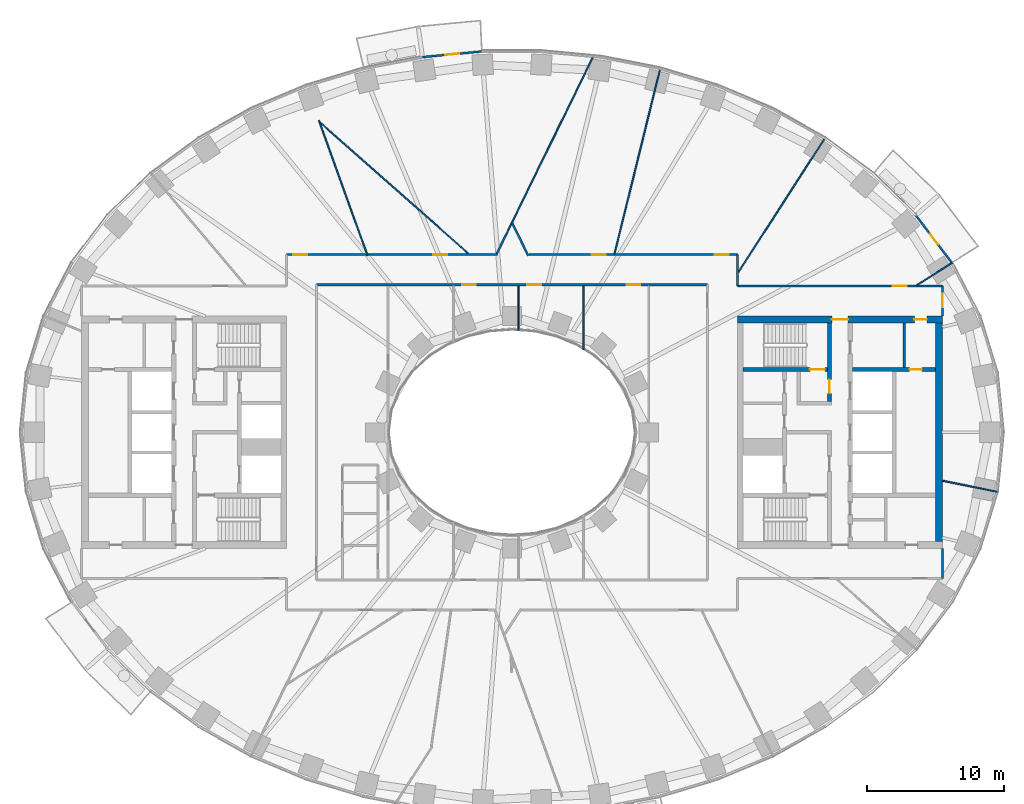
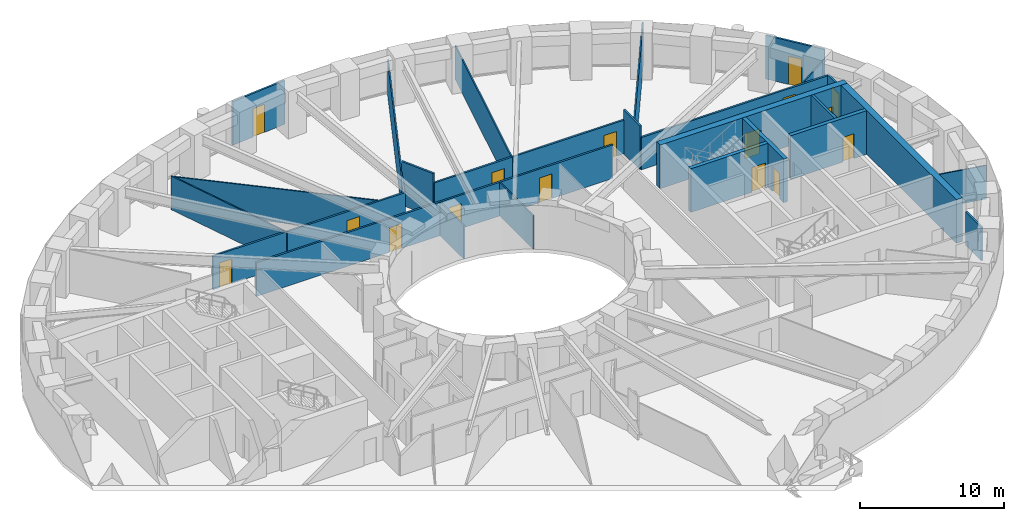
# One storey, part 6 of 16: 28 walls, 16 doors, 16 openings.
"""IFC4 building model written with IfcOpenShell, lengths in metres."""

import ifcopenshell
import ifcopenshell.guid

model = None  # the IFC model being written
_history = None  # IfcOwnerHistory: only IFC2X3 demands one
_inside = {}  # id of a spatial element -> (the spatial element, [elements in it])
_under = {}  # id of a project, library or spatial element -> (it, [spatial elements below it])
_declared = {}  # id of a project -> (the project, [libraries it declares])
_typed = {}  # id of a type object -> (the type object, [elements of that type])
_made_of = {}  # id of a material, layer set ... -> (it, [elements and type objects made of it])


def new_model(schema):
    """Start an empty IFC model of exactly this schema.

    Asked for "IFC4X3", IfcOpenShell would pick the latest addendum, in which some entities
    have other attributes; the version numbers below select the first issue.
    IFC2X3 requires an IfcOwnerHistory on every rooted entity: one is made here for all.
    """
    global model, _history
    if schema == "IFC4X3":
        model = ifcopenshell.file(schema_version=(4, 3, 0, 0))
    else:
        model = ifcopenshell.file(schema=schema)
    _inside.clear()
    _under.clear()
    _declared.clear()
    _typed.clear()
    _made_of.clear()
    _history = None
    if model.schema == "IFC2X3":
        org = make("IfcOrganization", Name="unknown")
        user = make(
            "IfcPersonAndOrganization",
            ThePerson=make("IfcPerson", FamilyName="unknown"),
            TheOrganization=org,
        )
        app = make(
            "IfcApplication",
            ApplicationDeveloper=org,
            Version="unknown",
            ApplicationFullName="unknown",
            ApplicationIdentifier="unknown",
        )
        _history = make(
            "IfcOwnerHistory",
            OwningUser=user,
            OwningApplication=app,
            ChangeAction="ADDED",
            CreationDate=0,
        )
    return model


def make(cls, **values):
    """One entity of the class cls with the attributes given. An attribute that is None is left unset."""
    return model.create_entity(
        cls, **{name: value for name, value in values.items() if value is not None}
    )


def rooted(cls, **values):
    """An entity with a GlobalId (a new one), such as an element, a storey or a relation."""
    return make(cls, GlobalId=ifcopenshell.guid.new(), OwnerHistory=_history, **values)


def si_unit(unit_type, name, prefix=None):
    """IfcSIUnit, for example si_unit("LENGTHUNIT", "METRE", prefix="MILLI")."""
    return make("IfcSIUnit", UnitType=unit_type, Prefix=prefix, Name=name)


def assignment(units):
    """IfcUnitAssignment: the units of a project."""
    return None if units is None else make("IfcUnitAssignment", Units=units)


def point(xyz):
    """IfcCartesianPoint."""
    return None if xyz is None else make("IfcCartesianPoint", Coordinates=xyz)


def direction(xyz):
    """IfcDirection."""
    return None if xyz is None else make("IfcDirection", DirectionRatios=xyz)


def frame(location, z_axis=None, x_axis=None):
    """IfcAxis2Placement3D, a coordinate frame: its origin and axes. An axis left out is left unset."""
    return make(
        "IfcAxis2Placement3D",
        Location=point(location),
        Axis=direction(z_axis),
        RefDirection=direction(x_axis),
    )


def frame_2d(location, x_axis=None):
    """IfcAxis2Placement2D, a coordinate frame in the plane: its origin and x axis."""
    return make(
        "IfcAxis2Placement2D", Location=point(location), RefDirection=direction(x_axis)
    )


def origin():
    """The frame at (0, 0, 0) with its axes left unset."""
    return frame((0.0, 0.0, 0.0))


def place(relative_to, where):
    """IfcLocalPlacement: puts the frame where relative to a parent placement (None: the world)."""
    return make(
        "IfcLocalPlacement", PlacementRelTo=relative_to, RelativePlacement=where
    )


def context(
    kind, dimensions, precision=None, world=None, true_north=None, identifier=None
):
    """IfcGeometricRepresentationContext, for example the 3D "Model" context."""
    return make(
        "IfcGeometricRepresentationContext",
        ContextIdentifier=identifier,
        ContextType=kind,
        CoordinateSpaceDimension=dimensions,
        Precision=precision,
        WorldCoordinateSystem=world,
        TrueNorth=true_north,
    )


def subcontext(parent, identifier, kind, view, scale=None):
    """IfcGeometricRepresentationSubContext, for example "Body" below "Model"."""
    return make(
        "IfcGeometricRepresentationSubContext",
        ContextIdentifier=identifier,
        ContextType=kind,
        ParentContext=parent,
        TargetScale=scale,
        TargetView=view,
    )


def project(units=None, contexts=None):
    """IfcProject with its units and contexts."""
    return rooted(
        "IfcProject",
        Name="project",
        RepresentationContexts=contexts,
        UnitsInContext=assignment(units),
    )


def spatial(cls, under=None, at=None, **own):
    """A site, building, storey or space (cls), placed at a placement, below another one or the project."""
    s = rooted(cls, ObjectPlacement=at, **own)
    if under is not None:
        _under.setdefault(under.id(), (under, []))[1].append(s)
    return s


def profile(cls, at=None, kind="AREA", **sizes):
    """A parametric profile (cls). Its sizes go by their IFC names, for example OverallWidth=200.0."""
    return make(cls, ProfileType=kind, Position=at, **sizes)


def rectangle(**sizes):
    """IfcRectangleProfileDef."""
    return profile("IfcRectangleProfileDef", **sizes)


def extrude(swept, where, along, depth):
    """IfcExtrudedAreaSolid: the profile swept, set in the frame where, extruded along a direction by depth."""
    return make(
        "IfcExtrudedAreaSolid",
        SweptArea=swept,
        Position=where,
        ExtrudedDirection=direction(along),
        Depth=depth,
    )


def shape(context_of_items, identifier, shape_type, items):
    """IfcShapeRepresentation: the items that make up one representation, for example the "Body"."""
    return make(
        "IfcShapeRepresentation",
        ContextOfItems=context_of_items,
        RepresentationIdentifier=identifier,
        RepresentationType=shape_type,
        Items=items,
    )


def material(Name=None, Category=None):
    """IfcMaterial."""
    return make("IfcMaterial", Name=Name, Category=Category)


def layer(
    of_material, thickness, ventilated=None, Name=None, Category=None, Priority=None
):
    """IfcMaterialLayer: one layer of a wall or slab, of a material (None: an air gap)."""
    return make(
        "IfcMaterialLayer",
        Material=of_material,
        LayerThickness=thickness,
        IsVentilated=ventilated,
        Name=Name,
        Category=Category,
        Priority=Priority,
    )


def layer_set(layers, Name=None):
    """IfcMaterialLayerSet."""
    return make("IfcMaterialLayerSet", MaterialLayers=layers, LayerSetName=Name)


def made_of(thing, what):
    """Note that an element or type object is made of a material, layer set ...; save() writes the relation."""
    if what is not None:
        _made_of.setdefault(what.id(), (what, []))[1].append(thing)
    return thing


def type_object(cls, material=None, **own):
    """A type object (cls), such as IfcWallType, which elements share."""
    return made_of(rooted(cls, **own), material)


def element(
    cls,
    number,
    at=None,
    inside=None,
    cuts=None,
    type_object=None,
    material=None,
    context=None,
    identifier="Body",
    shape_type=None,
    held_by="IfcProductDefinitionShape",
    body=None,
    shapes=None,
    **own,
):
    """One element of the class cls, such as IfcWall. Its Tag is "e" and its number.

    at: its placement. inside: the storey or other place that contains it. cuts: it is an
    opening in that element (IfcRelVoidsElement). A single representation is given by context,
    identifier, shape_type and body (its items); several are given by shapes. held_by: the class
    of the entity that holds the representations. save() writes the other relations.
    """
    e = rooted(cls, Tag="e%d" % number, ObjectPlacement=at, **own)
    if body is not None:
        shapes = [shape(context, identifier, shape_type, body)]
    if shapes is not None:
        e.Representation = make(held_by, Representations=shapes)
    if inside is not None:
        _inside.setdefault(inside.id(), (inside, []))[1].append(e)
    if cuts is not None:
        rooted(
            "IfcRelVoidsElement", RelatingBuildingElement=cuts, RelatedOpeningElement=e
        )
    if type_object is not None:
        _typed.setdefault(type_object.id(), (type_object, []))[1].append(e)
    return made_of(e, material)


def fill(opening, filler):
    """IfcRelFillsElement: the door or window that sits in an opening."""
    return rooted(
        "IfcRelFillsElement",
        RelatingOpeningElement=opening,
        RelatedBuildingElement=filler,
    )


def aggregate(whole, parts):
    """IfcRelAggregates: a whole, such as a stair, and the parts it consists of."""
    return rooted("IfcRelAggregates", RelatingObject=whole, RelatedObjects=parts)


def save(model, path):
    """Write the relations noted so far, then the file.

    IfcRelAggregates (storeys below a building ...), IfcRelContainedInSpatialStructure (elements
    in a storey), IfcRelDefinesByType, IfcRelAssociatesMaterial and IfcRelDeclares: one each for
    every whole, place, type object, material and project.
    """
    for whole, parts in _under.values():
        aggregate(whole, parts)
    for where, things in _inside.values():
        rooted(
            "IfcRelContainedInSpatialStructure",
            RelatedElements=things,
            RelatingStructure=where,
        )
    for kind, things in _typed.values():
        rooted("IfcRelDefinesByType", RelatedObjects=things, RelatingType=kind)
    for what, things in _made_of.values():
        rooted("IfcRelAssociatesMaterial", RelatedObjects=things, RelatingMaterial=what)
    for by, libraries in _declared.values():
        rooted("IfcRelDeclares", RelatingContext=by, RelatedDefinitions=libraries)
    model.write(path)


model = new_model("IFC4")

# Units and contexts
model_context = context("Model", 3, precision=1e-05, world=origin(), true_north=direction((0.0, 1.0)))
body_context = subcontext(model_context, "Body", "Model", "MODEL_VIEW")
ifc_project = project(units=[si_unit("LENGTHUNIT", "METRE"), si_unit("AREAUNIT", "SQUARE_METRE"), si_unit("VOLUMEUNIT", "CUBIC_METRE"), si_unit("PLANEANGLEUNIT", "RADIAN"), si_unit("MASSUNIT", "GRAM", prefix="KILO")], contexts=[model_context])

# Site, building, storey
site_placement = place(None, origin())
site = spatial("IfcSite", under=ifc_project, at=site_placement, CompositionType="ELEMENT")
building_placement = place(site_placement, origin())
building = spatial("IfcBuilding", under=site, at=building_placement, Name="Noorbagh Ring Tower", CompositionType="ELEMENT")
storey_placement = place(building_placement, frame((0.0, 0.0, 54.5)))
storey = spatial("IfcBuildingStorey", under=building, at=storey_placement, Name="L11", CompositionType="ELEMENT", Elevation=54.5)

# Wall
ifc_material_1 = material(Name="Gypsum board on steel studs", Category="steel")
ifc_layer_1 = layer(ifc_material_1, 0.199951171875)
ifc_layer_set_1 = layer_set([ifc_layer_1], Name="Gypsum board on steel studs")
wall_type_1 = type_object("IfcWallType", Name="CORE-PARTITION-200", PredefinedType="PARTITIONING", material=ifc_layer_set_1)
wall_1_placement = place(storey_placement, frame((28.699951171875, 4.75, 0.0), z_axis=(0.0, 0.0, 1.0), x_axis=(0.0, 1.0, 0.0)))
element("IfcWall", 1, at=wall_1_placement, inside=storey, type_object=wall_type_1, Name="Core partition E", PredefinedType="PARTITIONING", context=body_context, shape_type="SweptSolid", body=[
    extrude(rectangle(XDim=3.25, YDim=0.199951171875, at=frame_2d((1.625, 0.0))), origin(), (0.0, 0.0, 1.0), 3.699951171875),
])

# Wall, opening, door
ifc_material_2 = material(Name="Concrete C70/85", Category="concrete")
ifc_layer_2 = layer(ifc_material_2, 0.300048828125)
ifc_layer_set_2 = layer_set([ifc_layer_2], Name="Concrete C70/85")
wall_type_2 = type_object("IfcWallType", Name="CORE-WALL-300-C70-85-EI240", PredefinedType="SHEAR", material=ifc_layer_set_2)
wall_2_placement = place(storey_placement, frame((24.89990234375, 4.60009765625, 0.0), z_axis=(0.0, 0.0, 1.0), x_axis=(1.0, 0.0, 0.0)))
wall_2 = element("IfcWall", 2, at=wall_2_placement, inside=storey, type_object=wall_type_2, Name="Core wall E", PredefinedType="SHEAR", context=body_context, shape_type="SweptSolid", body=[
    extrude(rectangle(XDim=6.10009765625, YDim=0.300048828125, at=frame_2d((3.050048828125, 0.0))), origin(), (0.0, 0.0, 1.0), 3.699951171875),
])
opening_1_placement = place(wall_2_placement, frame((4.199951171875, 0.0, 0.0)))
opening_1 = element("IfcOpeningElement", 3, at=opening_1_placement, cuts=wall_2, Name="Opening L11-CE18", PredefinedType="OPENING", context=body_context, shape_type="SweptSolid", body=[
    extrude(rectangle(XDim=0.89990234375, YDim=2.10009765625, at=frame_2d((0.449951171875, 1.050048828125))), frame((0.0, 0.16015625, 0.0), z_axis=(0.0, -1.0, 0.0), x_axis=(1.0, 0.0, 0.0)), (0.0, 0.0, 1.0), 0.320068359375),
])
ifc_material_3 = material(Name="Steel door leaf", Category="steel")
door_type_1 = type_object("IfcDoorType", Name="CORE-DOOR-DROOM", OperationType="SINGLE_SWING_LEFT", PredefinedType="DOOR", material=ifc_material_3)
door_1_placement = place(opening_1_placement, origin())
door_1 = element("IfcDoor", 4, at=door_1_placement, inside=storey, type_object=door_type_1, Name="Core room door L11-CE18", OperationType="SINGLE_SWING_RIGHT", OverallHeight=2.10009765625, OverallWidth=0.89990234375, PredefinedType="DOOR", context=body_context, shape_type="SweptSolid", body=[
    extrude(rectangle(XDim=0.89990234375, YDim=2.10009765625, at=frame_2d((0.449951171875, 1.050048828125))), frame((0.0, 0.02490234375, 0.0), z_axis=(0.0, -1.0, 0.0), x_axis=(1.0, 0.0, 0.0)), (0.0, 0.0, 1.0), 0.050048828125),
])
fill(opening_1, door_1)

wall_3_placement = place(storey_placement, frame((23.22998046875, 2.25, 0.0), z_axis=(0.0, 0.0, 1.0), x_axis=(0.0, 1.0, 0.0)))
wall_3 = element("IfcWall", 5, at=wall_3_placement, inside=storey, type_object=wall_type_2, Name="Core wall E", PredefinedType="SHEAR", context=body_context, shape_type="SweptSolid", body=[
    extrude(rectangle(XDim=5.75, YDim=0.300048828125, at=frame_2d((2.875, 0.0))), origin(), (0.0, 0.0, 1.0), 3.699951171875),
])
opening_2_placement = place(wall_3_placement, frame((0.60009765625, 0.0, 0.0)))
opening_2 = element("IfcOpeningElement", 6, at=opening_2_placement, cuts=wall_3, Name="Opening L11-CE08", PredefinedType="OPENING", context=body_context, shape_type="SweptSolid", body=[
    extrude(rectangle(XDim=1.0, YDim=2.10009765625, at=frame_2d((0.5, 1.050048828125))), frame((0.0, 0.16015625, 0.0), z_axis=(0.0, -1.0, 0.0), x_axis=(1.0, 0.0, 0.0)), (0.0, 0.0, 1.0), 0.320068359375),
])
ifc_material_4 = material(Name="Steel door leaf", Category="steel")
door_type_2 = type_object("IfcDoorType", Name="CORE-DOOR-DVEST", OperationType="SINGLE_SWING_LEFT", PredefinedType="DOOR", material=ifc_material_4)
door_2_placement = place(opening_2_placement, origin())
door_2 = element("IfcDoor", 7, at=door_2_placement, inside=storey, type_object=door_type_2, Name="Stair vestibule door L11-CE08", OperationType="SINGLE_SWING_RIGHT", OverallHeight=2.10009765625, OverallWidth=1.0, PredefinedType="DOOR", context=body_context, shape_type="SweptSolid", body=[
    extrude(rectangle(XDim=1.0, YDim=2.10009765625, at=frame_2d((0.5, 1.050048828125))), frame((0.0, 0.02490234375, 0.0), z_axis=(0.0, -1.0, 0.0), x_axis=(1.0, 0.0, 0.0)), (0.0, 0.0, 1.0), 0.050048828125),
])
fill(opening_2, door_2)

wall_4_placement = place(storey_placement, frame((16.89990234375, 4.60009765625, 0.0), z_axis=(0.0, 0.0, 1.0), x_axis=(1.0, 0.0, 0.0)))
wall_4 = element("IfcWall", 8, at=wall_4_placement, inside=storey, type_object=wall_type_2, Name="Core wall E", PredefinedType="SHEAR", context=body_context, shape_type="SweptSolid", body=[
    extrude(rectangle(XDim=6.18017578125, YDim=0.300048828125, at=frame_2d((3.090087890625, 0.0))), origin(), (0.0, 0.0, 1.0), 3.699951171875),
])
opening_3_placement = place(wall_4_placement, frame((4.89990234375, 0.0, 0.0)))
opening_3 = element("IfcOpeningElement", 9, at=opening_3_placement, cuts=wall_4, Name="Opening L11-CE05", PredefinedType="OPENING", context=body_context, shape_type="SweptSolid", body=[
    extrude(rectangle(XDim=1.10009765625, YDim=2.10009765625, at=frame_2d((0.550048828125, 1.050048828125))), frame((0.0, 0.16015625, 0.0), z_axis=(0.0, -1.0, 0.0), x_axis=(1.0, 0.0, 0.0)), (0.0, 0.0, 1.0), 0.320068359375),
])
ifc_material_5 = material(Name="Steel door leaf", Category="steel")
door_type_3 = type_object("IfcDoorType", Name="CORE-DOOR-DSTAIR", OperationType="SINGLE_SWING_LEFT", PredefinedType="DOOR", material=ifc_material_5)
door_3_placement = place(opening_3_placement, origin())
door_3 = element("IfcDoor", 10, at=door_3_placement, inside=storey, type_object=door_type_3, Name="Stair door ST3 L11-CE05", OperationType="SINGLE_SWING_LEFT", OverallHeight=2.10009765625, OverallWidth=1.10009765625, PredefinedType="DOOR", context=body_context, shape_type="SweptSolid", body=[
    extrude(rectangle(XDim=1.10009765625, YDim=2.10009765625, at=frame_2d((0.550048828125, 1.050048828125))), frame((0.0, 0.02490234375, 0.0), z_axis=(0.0, -1.0, 0.0), x_axis=(1.0, 0.0, 0.0)), (0.0, 0.0, 1.0), 0.050048828125),
])
fill(opening_3, door_3)

# Wall, openings, doors
ifc_material_6 = material(Name="Concrete C70/85", Category="concrete")
ifc_layer_3 = layer(ifc_material_6, 0.5)
ifc_layer_set_3 = layer_set([ifc_layer_3], Name="Concrete C70/85")
wall_type_3 = type_object("IfcWallType", Name="CORE-WALL-500-C70-85-EI240", PredefinedType="SHEAR", material=ifc_layer_set_3)
wall_5_placement = place(storey_placement, frame((16.5, 8.25, 0.0), z_axis=(0.0, 0.0, 1.0), x_axis=(1.0, 0.0, 0.0)))
wall_5 = element("IfcWall", 11, at=wall_5_placement, inside=storey, type_object=wall_type_3, Name="Core wall E", PredefinedType="SHEAR", context=body_context, shape_type="SweptSolid", body=[
    extrude(rectangle(XDim=15.0, YDim=0.5, at=frame_2d((7.5, 0.0))), origin(), (0.0, 0.0, 1.0), 3.699951171875),
])
opening_4_placement = place(wall_5_placement, frame((6.89990234375, 0.0, 0.0)))
opening_4 = element("IfcOpeningElement", 12, at=opening_4_placement, cuts=wall_5, Name="Opening L11-CE09", PredefinedType="OPENING", context=body_context, shape_type="SweptSolid", body=[
    extrude(rectangle(XDim=1.199951171875, YDim=2.10009765625, at=frame_2d((0.60009765625, 1.050048828125))), frame((0.0, 0.260009765625, 0.0), z_axis=(0.0, -1.0, 0.0), x_axis=(1.0, 0.0, 0.0)), (0.0, 0.0, 1.0), 0.52001953125),
])
opening_5_placement = place(wall_5_placement, frame((12.949951171875, 0.0, 0.0)))
opening_5 = element("IfcOpeningElement", 13, at=opening_5_placement, cuts=wall_5, Name="Opening L11-CE14", PredefinedType="OPENING", context=body_context, shape_type="SweptSolid", body=[
    extrude(rectangle(XDim=0.89990234375, YDim=2.10009765625, at=frame_2d((0.449951171875, 1.050048828125))), frame((0.0, 0.260009765625, 0.0), z_axis=(0.0, -1.0, 0.0), x_axis=(1.0, 0.0, 0.0)), (0.0, 0.0, 1.0), 0.52001953125),
])
door_4_placement = place(opening_5_placement, origin())
door_4 = element("IfcDoor", 14, at=door_4_placement, inside=storey, type_object=door_type_1, Name="Core room door L11-CE14", OperationType="SINGLE_SWING_LEFT", OverallHeight=2.10009765625, OverallWidth=0.89990234375, PredefinedType="DOOR", context=body_context, shape_type="SweptSolid", body=[
    extrude(rectangle(XDim=0.89990234375, YDim=2.10009765625, at=frame_2d((0.449951171875, 1.050048828125))), frame((0.0, 0.02490234375, 0.0), z_axis=(0.0, -1.0, 0.0), x_axis=(1.0, 0.0, 0.0)), (0.0, 0.0, 1.0), 0.050048828125),
])
fill(opening_5, door_4)
ifc_material_7 = material(Name="Steel door leaf", Category="steel")
door_type_4 = type_object("IfcDoorType", Name="CORE-DOOR-PORT", OperationType="DOUBLE_DOOR_DOUBLE_SWING", PredefinedType="DOOR", material=ifc_material_7)
door_5_placement = place(opening_4_placement, origin())
door_5 = element("IfcDoor", 15, at=door_5_placement, inside=storey, type_object=door_type_4, Name="Core entrance door L11-CE09", OperationType="DOUBLE_DOOR_DOUBLE_SWING", OverallHeight=2.10009765625, OverallWidth=1.199951171875, PredefinedType="DOOR", context=body_context, shape_type="SweptSolid", body=[
    extrude(rectangle(XDim=1.199951171875, YDim=2.10009765625, at=frame_2d((0.60009765625, 1.050048828125))), frame((0.0, 0.02490234375, 0.0), z_axis=(0.0, -1.0, 0.0), x_axis=(1.0, 0.0, 0.0)), (0.0, 0.0, 1.0), 0.050048828125),
])
fill(opening_4, door_5)

# Wall
wall_6_placement = place(storey_placement, frame((31.25, -8.0, 0.0), z_axis=(0.0, 0.0, 1.0), x_axis=(0.0, 1.0, 0.0)))
element("IfcWall", 16, at=wall_6_placement, inside=storey, type_object=wall_type_3, Name="Core wall E", PredefinedType="SHEAR", context=body_context, shape_type="SweptSolid", body=[
    extrude(rectangle(XDim=16.0, YDim=0.5, at=frame_2d((8.0, 0.0))), origin(), (0.0, 0.0, 1.0), 3.699951171875),
])

# Wall, opening, door
ifc_material_8 = material(Name="Gypsum board on steel studs", Category="steel")
ifc_layer_4 = layer(ifc_material_8, 0.14990234375)
ifc_layer_set_4 = layer_set([ifc_layer_4], Name="Gypsum board on steel studs")
wall_type_4 = type_object("IfcWallType", Name="CORRIDOR PARTITION 150 EI 30", PredefinedType="PARTITIONING", material=ifc_layer_set_4)
wall_7_placement = place(storey_placement, frame((-16.5, 13.0, 0.0), z_axis=(0.0, 0.0, 1.0), x_axis=(1.0, 0.0, 0.0)))
wall_7 = element("IfcWall", 17, at=wall_7_placement, inside=storey, type_object=wall_type_4, Name="L11/wall/P12", PredefinedType="PARTITIONING", context=body_context, shape_type="SweptSolid", body=[
    extrude(rectangle(XDim=5.89306640625, YDim=0.14990234375, at=frame_2d((2.946533203125, 0.0))), origin(), (0.0, 0.0, 1.0), 2.85009765625),
])
opening_6_placement = place(wall_7_placement, frame((0.5048828125, 0.0, 0.0)))
opening_6 = element("IfcOpeningElement", 18, at=opening_6_placement, cuts=wall_7, Name="Opening D1", PredefinedType="OPENING", context=body_context, shape_type="SweptSolid", body=[
    extrude(rectangle(XDim=1.0, YDim=2.10009765625, at=frame_2d((0.5, 1.050048828125))), frame((0.0, 0.0849609375, 0.0), z_axis=(0.0, -1.0, 0.0), x_axis=(1.0, 0.0, 0.0)), (0.0, 0.0, 1.0), 0.169921875),
])
ifc_material_9 = material(Name="Timber, painted", Category="wood")
door_type_5 = type_object("IfcDoorType", Name="DOOR 1000 X 2100 FD30", OperationType="SINGLE_SWING_LEFT", PredefinedType="DOOR", material=ifc_material_9)
door_6_placement = place(opening_6_placement, origin())
door_6 = element("IfcDoor", 19, at=door_6_placement, inside=storey, type_object=door_type_5, Name="L11-D08", OperationType="SINGLE_SWING_RIGHT", OverallHeight=2.10009765625, OverallWidth=1.0, PredefinedType="DOOR", context=body_context, shape_type="SweptSolid", body=[
    extrude(rectangle(XDim=1.0, YDim=2.10009765625, at=frame_2d((0.5, 1.050048828125))), frame((0.0, 0.02490234375, 0.0), z_axis=(0.0, -1.0, 0.0), x_axis=(1.0, 0.0, 0.0)), (0.0, 0.0, 1.0), 0.050048828125),
])
fill(opening_6, door_6)

# Wall, openings, doors
wall_8_placement = place(storey_placement, frame((-14.300048828125, 10.800048828125, 0.0), z_axis=(0.0, 0.0, 1.0), x_axis=(1.0, 0.0, 0.0)))
wall_8 = element("IfcWall", 20, at=wall_8_placement, inside=storey, type_object=wall_type_4, Name="L11/wall/P15", PredefinedType="PARTITIONING", context=body_context, shape_type="SweptSolid", body=[
    extrude(rectangle(XDim=28.60009765625, YDim=0.14990234375, at=frame_2d((14.300048828125, 0.0))), origin(), (0.0, 0.0, 1.0), 2.85009765625),
])
opening_7_placement = place(wall_8_placement, frame((10.659912109375, 0.0, 0.0)))
opening_7 = element("IfcOpeningElement", 21, at=opening_7_placement, cuts=wall_8, Name="Opening D1", PredefinedType="OPENING", context=body_context, shape_type="SweptSolid", body=[
    extrude(rectangle(XDim=1.0, YDim=2.10009765625, at=frame_2d((0.5, 1.050048828125))), frame((0.0, 0.0849609375, 0.0), z_axis=(0.0, -1.0, 0.0), x_axis=(1.0, 0.0, 0.0)), (0.0, 0.0, 1.0), 0.169921875),
])
opening_8_placement = place(wall_8_placement, frame((15.427001953125, 0.0, 0.0)))
opening_8 = element("IfcOpeningElement", 22, at=opening_8_placement, cuts=wall_8, Name="Opening D1", PredefinedType="OPENING", context=body_context, shape_type="SweptSolid", body=[
    extrude(rectangle(XDim=1.0, YDim=2.10009765625, at=frame_2d((0.5, 1.050048828125))), frame((0.0, 0.0849609375, 0.0), z_axis=(0.0, -1.0, 0.0), x_axis=(1.0, 0.0, 0.0)), (0.0, 0.0, 1.0), 0.169921875),
])
opening_9_placement = place(wall_8_placement, frame((22.693115234375, 0.0, 0.0)))
opening_9 = element("IfcOpeningElement", 23, at=opening_9_placement, cuts=wall_8, Name="Opening D1", PredefinedType="OPENING", context=body_context, shape_type="SweptSolid", body=[
    extrude(rectangle(XDim=1.0, YDim=2.10009765625, at=frame_2d((0.5, 1.050048828125))), frame((0.0, 0.0849609375, 0.0), z_axis=(0.0, -1.0, 0.0), x_axis=(1.0, 0.0, 0.0)), (0.0, 0.0, 1.0), 0.169921875),
])
door_7_placement = place(opening_7_placement, origin())
door_7 = element("IfcDoor", 24, at=door_7_placement, inside=storey, type_object=door_type_5, Name="L11-D23", OperationType="SINGLE_SWING_LEFT", OverallHeight=2.10009765625, OverallWidth=1.0, PredefinedType="DOOR", context=body_context, shape_type="SweptSolid", body=[
    extrude(rectangle(XDim=1.0, YDim=2.10009765625, at=frame_2d((0.5, 1.050048828125))), frame((0.0, 0.02490234375, 0.0), z_axis=(0.0, -1.0, 0.0), x_axis=(1.0, 0.0, 0.0)), (0.0, 0.0, 1.0), 0.050048828125),
])
fill(opening_7, door_7)
door_8_placement = place(opening_8_placement, origin())
door_8 = element("IfcDoor", 25, at=door_8_placement, inside=storey, type_object=door_type_5, Name="L11-D25", OperationType="SINGLE_SWING_LEFT", OverallHeight=2.10009765625, OverallWidth=1.0, PredefinedType="DOOR", context=body_context, shape_type="SweptSolid", body=[
    extrude(rectangle(XDim=1.0, YDim=2.10009765625, at=frame_2d((0.5, 1.050048828125))), frame((0.0, 0.02490234375, 0.0), z_axis=(0.0, -1.0, 0.0), x_axis=(1.0, 0.0, 0.0)), (0.0, 0.0, 1.0), 0.050048828125),
])
fill(opening_8, door_8)
door_9_placement = place(opening_9_placement, origin())
door_9 = element("IfcDoor", 26, at=door_9_placement, inside=storey, type_object=door_type_5, Name="L11-D26", OperationType="SINGLE_SWING_RIGHT", OverallHeight=2.10009765625, OverallWidth=1.0, PredefinedType="DOOR", context=body_context, shape_type="SweptSolid", body=[
    extrude(rectangle(XDim=1.0, YDim=2.10009765625, at=frame_2d((0.5, 1.050048828125))), frame((0.0, 0.02490234375, 0.0), z_axis=(0.0, -1.0, 0.0), x_axis=(1.0, 0.0, 0.0)), (0.0, 0.0, 1.0), 0.050048828125),
])
fill(opening_9, door_9)

# Wall, opening, door
wall_9_placement = place(storey_placement, frame((-10.5419921875, 13.0, 0.0), z_axis=(0.0, 0.0, 1.0), x_axis=(1.0, 0.0, 0.0)))
wall_9 = element("IfcWall", 27, at=wall_9_placement, inside=storey, type_object=wall_type_4, Name="L11/wall/P24", PredefinedType="PARTITIONING", context=body_context, shape_type="SweptSolid", body=[
    extrude(rectangle(XDim=9.47509765625, YDim=0.14990234375, at=frame_2d((4.737548828125, 0.0))), origin(), (0.0, 0.0, 1.0), 2.85009765625),
])
opening_10_placement = place(wall_9_placement, frame((4.79296875, 0.0, 0.0)))
opening_10 = element("IfcOpeningElement", 28, at=opening_10_placement, cuts=wall_9, Name="Opening D1", PredefinedType="OPENING", context=body_context, shape_type="SweptSolid", body=[
    extrude(rectangle(XDim=1.0, YDim=2.10009765625, at=frame_2d((0.5, 1.050048828125))), frame((0.0, 0.0849609375, 0.0), z_axis=(0.0, -1.0, 0.0), x_axis=(1.0, 0.0, 0.0)), (0.0, 0.0, 1.0), 0.169921875),
])
door_10_placement = place(opening_10_placement, origin())
door_10 = element("IfcDoor", 29, at=door_10_placement, inside=storey, type_object=door_type_5, Name="L11-D11", OperationType="SINGLE_SWING_LEFT", OverallHeight=2.10009765625, OverallWidth=1.0, PredefinedType="DOOR", context=body_context, shape_type="SweptSolid", body=[
    extrude(rectangle(XDim=1.0, YDim=2.10009765625, at=frame_2d((0.5, 1.050048828125))), frame((0.0, 0.02490234375, 0.0), z_axis=(0.0, -1.0, 0.0), x_axis=(1.0, 0.0, 0.0)), (0.0, 0.0, 1.0), 0.050048828125),
])
fill(opening_10, door_10)

# Walls
wall_10_placement = place(storey_placement, frame((-1.113037109375, 13.074951171875, 0.0), z_axis=(0.0, 0.0, 1.0), x_axis=(0.438741402857, 0.898613365925, 0.0)))
element("IfcWall", 30, at=wall_10_placement, inside=storey, type_object=wall_type_4, Name="L11/wall/P35", PredefinedType="PARTITIONING", context=body_context, shape_type="SweptSolid", body=[
    extrude(rectangle(XDim=1.513671875, YDim=0.14990234375, at=frame_2d((0.7568359375, 0.0))), origin(), (0.0, 0.0, 1.0), 2.85009765625),
])
wall_11_placement = place(storey_placement, frame((0.02197265625, 15.30810546875, 0.0), z_axis=(0.0, 0.0, 1.0), x_axis=(0.439206830508, -0.898385974977, 0.0)))
element("IfcWall", 31, at=wall_11_placement, inside=storey, type_object=wall_type_4, Name="L11/wall/P41", PredefinedType="PARTITIONING", context=body_context, shape_type="SweptSolid", body=[
    extrude(rectangle(XDim=2.652587890625, YDim=0.14990234375, at=frame_2d((1.326171875, 0.0))), origin(), (0.0, 0.0, 1.0), 3.699951171875),
])

# Wall, opening, door
wall_12_placement = place(storey_placement, frame((1.23291015625, 13.0, 0.0), z_axis=(0.0, 0.0, 1.0), x_axis=(1.0, 0.0, 0.0)))
wall_12 = element("IfcWall", 32, at=wall_12_placement, inside=storey, type_object=wall_type_4, Name="L11/wall/P45", PredefinedType="PARTITIONING", context=body_context, shape_type="SweptSolid", body=[
    extrude(rectangle(XDim=6.25, YDim=0.14990234375, at=frame_2d((3.125, 0.0))), origin(), (0.0, 0.0, 1.0), 2.85009765625),
])
opening_11_placement = place(wall_12_placement, frame((4.615966796875, 0.0, 0.0)))
opening_11 = element("IfcOpeningElement", 33, at=opening_11_placement, cuts=wall_12, Name="Opening D1", PredefinedType="OPENING", context=body_context, shape_type="SweptSolid", body=[
    extrude(rectangle(XDim=1.0, YDim=2.10009765625, at=frame_2d((0.5, 1.050048828125))), frame((0.0, 0.0849609375, 0.0), z_axis=(0.0, -1.0, 0.0), x_axis=(1.0, 0.0, 0.0)), (0.0, 0.0, 1.0), 0.169921875),
])
door_11_placement = place(opening_11_placement, origin())
door_11 = element("IfcDoor", 34, at=door_11_placement, inside=storey, type_object=door_type_5, Name="L11-D13", OperationType="SINGLE_SWING_LEFT", OverallHeight=2.10009765625, OverallWidth=1.0, PredefinedType="DOOR", context=body_context, shape_type="SweptSolid", body=[
    extrude(rectangle(XDim=1.0, YDim=2.10009765625, at=frame_2d((0.5, 1.050048828125))), frame((0.0, 0.02490234375, 0.0), z_axis=(0.0, -1.0, 0.0), x_axis=(1.0, 0.0, 0.0)), (0.0, 0.0, 1.0), 0.050048828125),
])
fill(opening_11, door_11)

wall_13_placement = place(storey_placement, frame((7.4990234375, 13.0, 0.0), z_axis=(0.0, 0.0, 1.0), x_axis=(1.0, 0.0, 0.0)))
wall_13 = element("IfcWall", 35, at=wall_13_placement, inside=storey, type_object=wall_type_4, Name="L11/wall/P49", PredefinedType="PARTITIONING", context=body_context, shape_type="SweptSolid", body=[
    extrude(rectangle(XDim=9.0009765625, YDim=0.14990234375, at=frame_2d((4.50048828125, 0.0))), origin(), (0.0, 0.0, 1.0), 2.85009765625),
])
opening_12_placement = place(wall_13_placement, frame((7.35107421875, 0.0, 0.0)))
opening_12 = element("IfcOpeningElement", 36, at=opening_12_placement, cuts=wall_13, Name="Opening D1", PredefinedType="OPENING", context=body_context, shape_type="SweptSolid", body=[
    extrude(rectangle(XDim=1.0, YDim=2.10009765625, at=frame_2d((0.5, 1.050048828125))), frame((0.0, 0.0849609375, 0.0), z_axis=(0.0, -1.0, 0.0), x_axis=(1.0, 0.0, 0.0)), (0.0, 0.0, 1.0), 0.169921875),
])
door_12_placement = place(opening_12_placement, origin())
door_12 = element("IfcDoor", 37, at=door_12_placement, inside=storey, type_object=door_type_5, Name="L11-D15", OperationType="SINGLE_SWING_LEFT", OverallHeight=2.10009765625, OverallWidth=1.0, PredefinedType="DOOR", context=body_context, shape_type="SweptSolid", body=[
    extrude(rectangle(XDim=1.0, YDim=2.10009765625, at=frame_2d((0.5, 1.050048828125))), frame((0.0, 0.02490234375, 0.0), z_axis=(0.0, -1.0, 0.0), x_axis=(1.0, 0.0, 0.0)), (0.0, 0.0, 1.0), 0.050048828125),
])
fill(opening_12, door_12)

# Wall
wall_14_placement = place(storey_placement, frame((16.5, 10.699951171875, 0.0), z_axis=(0.0, 0.0, 1.0), x_axis=(0.0, 1.0, 0.0)))
element("IfcWall", 38, at=wall_14_placement, inside=storey, type_object=wall_type_4, Name="L11/wall/P55", PredefinedType="PARTITIONING", context=body_context, shape_type="SweptSolid", body=[
    extrude(rectangle(XDim=2.300048828125, YDim=0.14990234375, at=frame_2d((1.14990234375, 0.0))), origin(), (0.0, 0.0, 1.0), 3.699951171875),
])

# Wall, opening, door
wall_15_placement = place(storey_placement, frame((16.5, 10.699951171875, 0.0), z_axis=(0.0, 0.0, 1.0), x_axis=(1.0, 0.0, 0.0)))
wall_15 = element("IfcWall", 39, at=wall_15_placement, inside=storey, type_object=wall_type_4, Name="L11/wall/P56", PredefinedType="PARTITIONING", context=body_context, shape_type="SweptSolid", body=[
    extrude(rectangle(XDim=15.0, YDim=0.14990234375, at=frame_2d((7.5, 0.0))), origin(), (0.0, 0.0, 1.0), 2.75),
])
opening_13_placement = place(wall_15_placement, frame((11.37109375, 0.0, 0.0)))
opening_13 = element("IfcOpeningElement", 40, at=opening_13_placement, cuts=wall_15, Name="Opening D1", PredefinedType="OPENING", context=body_context, shape_type="SweptSolid", body=[
    extrude(rectangle(XDim=1.0, YDim=2.10009765625, at=frame_2d((0.5, 1.050048828125))), frame((0.0, 0.0849609375, 0.0), z_axis=(0.0, -1.0, 0.0), x_axis=(1.0, 0.0, 0.0)), (0.0, 0.0, 1.0), 0.169921875),
])
door_13_placement = place(opening_13_placement, origin())
door_13 = element("IfcDoor", 41, at=door_13_placement, inside=storey, type_object=door_type_5, Name="L11-D17", OperationType="SINGLE_SWING_LEFT", OverallHeight=2.10009765625, OverallWidth=1.0, PredefinedType="DOOR", context=body_context, shape_type="SweptSolid", body=[
    extrude(rectangle(XDim=1.0, YDim=2.10009765625, at=frame_2d((0.5, 1.050048828125))), frame((0.0, 0.02490234375, 0.0), z_axis=(0.0, -1.0, 0.0), x_axis=(1.0, 0.0, 0.0)), (0.0, 0.0, 1.0), 0.050048828125),
])
fill(opening_13, door_13)

# Wall
wall_16_placement = place(storey_placement, frame((31.5, -10.699951171875, 0.0), z_axis=(0.0, 0.0, 1.0), x_axis=(0.0, 1.0, 0.0)))
element("IfcWall", 42, at=wall_16_placement, inside=storey, type_object=wall_type_4, Name="L11/wall/P60", PredefinedType="PARTITIONING", context=body_context, shape_type="SweptSolid", body=[
    extrude(rectangle(XDim=2.199951171875, YDim=0.14990234375, at=frame_2d((1.10009765625, 0.0))), origin(), (0.0, 0.0, 1.0), 2.85009765625),
])

# Wall, opening, door
wall_17_placement = place(storey_placement, frame((31.5, 8.5, 0.0), z_axis=(0.0, 0.0, 1.0), x_axis=(0.0, 1.0, 0.0)))
wall_17 = element("IfcWall", 43, at=wall_17_placement, inside=storey, type_object=wall_type_4, Name="L11/wall/P62", PredefinedType="PARTITIONING", context=body_context, shape_type="SweptSolid", body=[
    extrude(rectangle(XDim=2.199951171875, YDim=0.14990234375, at=frame_2d((1.10009765625, 0.0))), origin(), (0.0, 0.0, 1.0), 2.85009765625),
])
opening_14_placement = place(wall_17_placement, frame((0.64990234375, 0.0, 0.0)))
opening_14 = element("IfcOpeningElement", 44, at=opening_14_placement, cuts=wall_17, Name="Opening D1", PredefinedType="OPENING", context=body_context, shape_type="SweptSolid", body=[
    extrude(rectangle(XDim=1.0, YDim=2.10009765625, at=frame_2d((0.5, 1.050048828125))), frame((0.0, 0.0849609375, 0.0), z_axis=(0.0, -1.0, 0.0), x_axis=(1.0, 0.0, 0.0)), (0.0, 0.0, 1.0), 0.169921875),
])
door_14_placement = place(opening_14_placement, origin())
door_14 = element("IfcDoor", 45, at=door_14_placement, inside=storey, type_object=door_type_5, Name="L11-D19", OperationType="SINGLE_SWING_LEFT", OverallHeight=2.10009765625, OverallWidth=1.0, PredefinedType="DOOR", context=body_context, shape_type="SweptSolid", body=[
    extrude(rectangle(XDim=1.0, YDim=2.10009765625, at=frame_2d((0.5, 1.050048828125))), frame((0.0, 0.02490234375, 0.0), z_axis=(0.0, -1.0, 0.0), x_axis=(1.0, 0.0, 0.0)), (0.0, 0.0, 1.0), 0.050048828125),
])
fill(opening_14, door_14)

ifc_material_10 = material(Name="Insulated aluminium clad panel", Category="aluminium")
ifc_layer_5 = layer(ifc_material_10, 0.14990234375)
ifc_layer_set_5 = layer_set([ifc_layer_5], Name="Insulated aluminium clad panel")
wall_type_5 = type_object("IfcWallType", Name="ENV-WALL-DOOR", PredefinedType="STANDARD", material=ifc_layer_set_5)
wall_18_placement = place(storey_placement, frame((32.20751953125, 12.37353515625, 0.0), z_axis=(0.0, 0.0, 1.0), x_axis=(-0.604045763106, 0.796949632081, 0.0)))
wall_18 = element("IfcWall", 46, at=wall_18_placement, inside=storey, type_object=wall_type_5, Name="Balcony door wall chord 04", PredefinedType="STANDARD", context=body_context, shape_type="SweptSolid", body=[
    extrude(rectangle(XDim=4.42333984375, YDim=0.14990234375, at=frame_2d((2.211669921875, 0.0))), origin(), (0.0, 0.0, 1.0), 3.699951171875),
])
opening_15_placement = place(wall_18_placement, frame((1.711669921875, 0.0, 0.0)))
opening_15 = element("IfcOpeningElement", 47, at=opening_15_placement, cuts=wall_18, Name="Opening D-BL", PredefinedType="OPENING", context=body_context, shape_type="SweptSolid", body=[
    extrude(rectangle(XDim=1.0, YDim=2.39990234375, at=frame_2d((0.5, 1.199951171875))), frame((0.0, 0.0849609375, 0.0), z_axis=(0.0, -1.0, 0.0), x_axis=(1.0, 0.0, 0.0)), (0.0, 0.0, 1.0), 0.169921875),
])
ifc_material_11 = material(Name="Aluminium and glass", Category="aluminium")
door_type_6 = type_object("IfcDoorType", Name="ENV-DOOR-BALCONY", OperationType="SINGLE_SWING_LEFT", PredefinedType="DOOR", material=ifc_material_11)
door_15_placement = place(opening_15_placement, origin())
door_15 = element("IfcDoor", 48, at=door_15_placement, inside=storey, type_object=door_type_6, Name="Balcony door chord 04", OperationType="SINGLE_SWING_RIGHT", OverallHeight=2.39990234375, OverallWidth=1.0, PredefinedType="DOOR", context=body_context, shape_type="SweptSolid", body=[
    extrude(rectangle(XDim=1.0, YDim=2.39990234375, at=frame_2d((0.5, 1.199951171875))), frame((0.0, 0.02490234375, 0.0), z_axis=(0.0, -1.0, 0.0), x_axis=(1.0, 0.0, 0.0)), (0.0, 0.0, 1.0), 0.050048828125),
])
fill(opening_15, door_15)

wall_19_placement = place(storey_placement, frame((-2.166259765625, 27.875244140625, 0.0), z_axis=(0.0, 0.0, 1.0), x_axis=(-0.995473879823, -0.095035543824, 0.0)))
wall_19 = element("IfcWall", 49, at=wall_19_placement, inside=storey, type_object=wall_type_5, Name="Balcony door wall chord 13", PredefinedType="STANDARD", context=body_context, shape_type="SweptSolid", body=[
    extrude(rectangle(XDim=4.42626953125, YDim=0.14990234375, at=frame_2d((2.213134765625, 0.0))), origin(), (0.0, 0.0, 1.0), 3.699951171875),
])
opening_16_placement = place(wall_19_placement, frame((1.713134765625, 0.0, 0.0)))
opening_16 = element("IfcOpeningElement", 50, at=opening_16_placement, cuts=wall_19, Name="Opening D-BL", PredefinedType="OPENING", context=body_context, shape_type="SweptSolid", body=[
    extrude(rectangle(XDim=1.0, YDim=2.39990234375, at=frame_2d((0.5, 1.199951171875))), frame((0.0, 0.0849609375, 0.0), z_axis=(0.0, -1.0, 0.0), x_axis=(1.0, 0.0, 0.0)), (0.0, 0.0, 1.0), 0.169921875),
])
door_16_placement = place(opening_16_placement, origin())
door_16 = element("IfcDoor", 51, at=door_16_placement, inside=storey, type_object=door_type_6, Name="Balcony door chord 13", OperationType="SINGLE_SWING_RIGHT", OverallHeight=2.39990234375, OverallWidth=1.0, PredefinedType="DOOR", context=body_context, shape_type="SweptSolid", body=[
    extrude(rectangle(XDim=1.0, YDim=2.39990234375, at=frame_2d((0.5, 1.199951171875))), frame((0.0, 0.02490234375, 0.0), z_axis=(0.0, -1.0, 0.0), x_axis=(1.0, 0.0, 0.0)), (0.0, 0.0, 1.0), 0.050048828125),
])
fill(opening_16, door_16)

# Walls
ifc_material_12 = material(Name="Gypsum board on steel studs", Category="steel")
ifc_layer_6 = layer(ifc_material_12, 0.10009765625)
ifc_layer_set_6 = layer_set([ifc_layer_6], Name="Gypsum board on steel studs")
wall_type_6 = type_object("IfcWallType", Name="PARTITION 100 GYPSUM", PredefinedType="PARTITIONING", material=ifc_layer_set_6)
wall_20_placement = place(storey_placement, frame((-14.126953125, 22.821044921875, 0.0), z_axis=(0.0, 0.0, 1.0), x_axis=(0.338406243201, -0.941000114008, 0.0)))
element("IfcWall", 52, at=wall_20_placement, inside=storey, type_object=wall_type_6, Name="L11/wall/P16", PredefinedType="PARTITIONING", context=body_context, shape_type="SweptSolid", body=[
    extrude(rectangle(XDim=10.516357421875, YDim=0.10009765625, at=frame_2d((5.25830078125, 0.0))), origin(), (0.0, 0.0, 1.0), 2.85009765625),
])
wall_21_placement = place(storey_placement, frame((-14.013916015625, 22.654052734375, 0.0), z_axis=(0.0, 0.0, 1.0), x_axis=(0.749047176019, -0.662516662506, 0.0)))
element("IfcWall", 53, at=wall_21_placement, inside=storey, type_object=wall_type_6, Name="L11/wall/P17", PredefinedType="PARTITIONING", context=body_context, shape_type="SweptSolid", body=[
    extrude(rectangle(XDim=14.454345703125, YDim=0.10009765625, at=frame_2d((7.22705078125, 0.0))), origin(), (0.0, 0.0, 1.0), 2.85009765625),
])
wall_22_placement = place(storey_placement, frame((-0.444091796875, 14.444091796875, 0.0), z_axis=(0.0, 0.0, 1.0), x_axis=(0.439242877898, 0.898368351077, 0.0)))
element("IfcWall", 54, at=wall_22_placement, inside=storey, type_object=wall_type_6, Name="L11/wall/P37", PredefinedType="PARTITIONING", context=body_context, shape_type="SweptSolid", body=[
    extrude(rectangle(XDim=14.5751953125, YDim=0.10009765625, at=frame_2d((7.28759765625, 0.0))), origin(), (0.0, 0.0, 1.0), 2.85009765625),
])
wall_23_placement = place(storey_placement, frame((0.47705078125, 7.468017578125, 0.0), z_axis=(0.0, 0.0, 1.0), x_axis=(0.0, 1.0, 0.0)))
element("IfcWall", 55, at=wall_23_placement, inside=storey, type_object=wall_type_6, Name="L11/wall/P43", PredefinedType="PARTITIONING", context=body_context, shape_type="SweptSolid", body=[
    extrude(rectangle(XDim=3.257080078125, YDim=0.10009765625, at=frame_2d((1.62841796875, 0.0))), origin(), (0.0, 0.0, 1.0), 2.85009765625),
])
wall_24_placement = place(storey_placement, frame((5.242919921875, 6.05908203125, 0.0), z_axis=(0.0, 0.0, 1.0), x_axis=(0.0, 1.0, 0.0)))
element("IfcWall", 56, at=wall_24_placement, inside=storey, type_object=wall_type_6, Name="L11/wall/P47", PredefinedType="PARTITIONING", context=body_context, shape_type="SweptSolid", body=[
    extrude(rectangle(XDim=4.666015625, YDim=0.10009765625, at=frame_2d((2.3330078125, 0.0))), origin(), (0.0, 0.0, 1.0), 2.85009765625),
])
wall_25_placement = place(storey_placement, frame((7.48291015625, 13.0, 0.0), z_axis=(0.0, 0.0, 1.0), x_axis=(0.239763745499, 0.97083126564, 0.0)))
element("IfcWall", 57, at=wall_25_placement, inside=storey, type_object=wall_type_6, Name="L11/wall/P48", PredefinedType="PARTITIONING", context=body_context, shape_type="SweptSolid", body=[
    extrude(rectangle(XDim=14.055908203125, YDim=0.10009765625, at=frame_2d((7.02783203125, 0.0))), origin(), (0.0, 0.0, 1.0), 2.85009765625),
])
wall_26_placement = place(storey_placement, frame((16.574951171875, 11.73291015625, 0.0), z_axis=(0.0, 0.0, 1.0), x_axis=(0.54222594427, 0.840232720953, 0.0)))
element("IfcWall", 58, at=wall_26_placement, inside=storey, type_object=wall_type_6, Name="L11/wall/P57", PredefinedType="PARTITIONING", context=body_context, shape_type="SweptSolid", body=[
    extrude(rectangle(XDim=11.67431640625, YDim=0.10009765625, at=frame_2d((5.837158203125, 0.0))), origin(), (0.0, 0.0, 1.0), 3.699951171875),
])
wall_27_placement = place(storey_placement, frame((29.636962890625, 10.777099609375, 0.0), z_axis=(0.0, 0.0, 1.0), x_axis=(0.844810627195, 0.535065420467, 0.0)))
element("IfcWall", 59, at=wall_27_placement, inside=storey, type_object=wall_type_6, Name="L11/wall/P59", PredefinedType="PARTITIONING", context=body_context, shape_type="SweptSolid", body=[
    extrude(rectangle(XDim=3.0478515625, YDim=0.10009765625, at=frame_2d((1.52392578125, 0.0))), origin(), (0.0, 0.0, 1.0), 2.85009765625),
])
wall_28_placement = place(storey_placement, frame((31.5, -3.5419921875, 0.0), z_axis=(0.0, 0.0, 1.0), x_axis=(0.980357474535, -0.197228857227, 0.0)))
element("IfcWall", 60, at=wall_28_placement, inside=storey, type_object=wall_type_6, Name="L11/wall/P61", PredefinedType="PARTITIONING", context=body_context, shape_type="SweptSolid", body=[
    extrude(rectangle(XDim=4.09228515625, YDim=0.10009765625, at=frame_2d((2.046142578125, 0.0))), origin(), (0.0, 0.0, 1.0), 2.85009765625),
])

save(model, "model.ifc")
